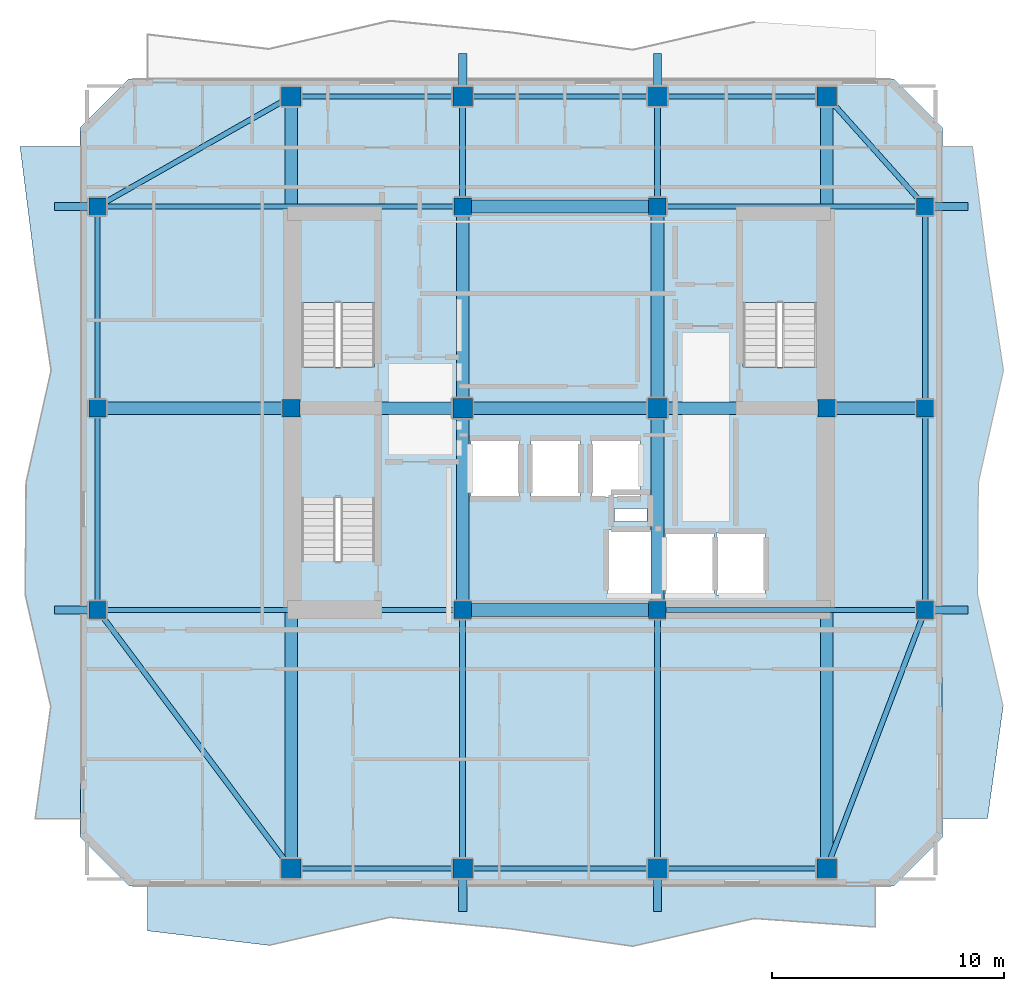
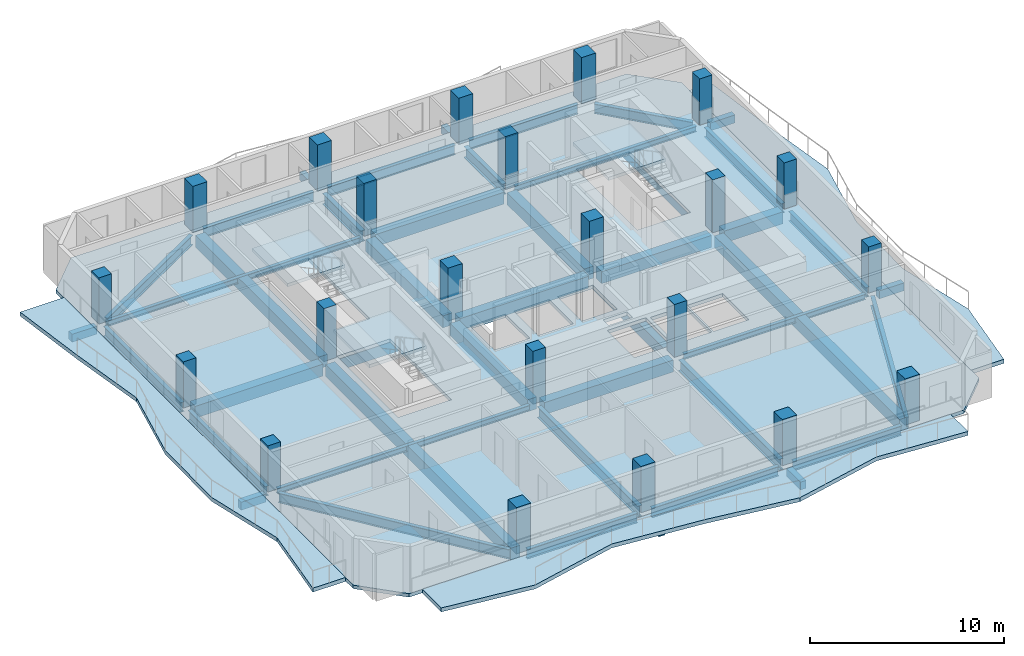
# One storey, part 1 of 10: 45 beams, 22 columns, 7 slabs, 3 elements without a shape of their own.
"""IFC4 building model written with IfcOpenShell, lengths in metres."""

from ifc_helpers import new_model, si_unit, direction, frame, origin, origin_2d, place, context, subcontext, project, spatial, polyline, rectangle, i_section, outline, extrude, material, layer, layer_set, material_profile, profile_set, type_object, element, aggregate, save


model = new_model("IFC4")

# Units and contexts
model_context = context("Model", 3, precision=1e-05, world=origin(), true_north=direction((0.0, 1.0)))
body_context = subcontext(model_context, "Body", "Model", "MODEL_VIEW")
ifc_project = project(units=[si_unit("LENGTHUNIT", "METRE"), si_unit("AREAUNIT", "SQUARE_METRE"), si_unit("VOLUMEUNIT", "CUBIC_METRE"), si_unit("PLANEANGLEUNIT", "RADIAN"), si_unit("MASSUNIT", "GRAM", prefix="KILO")], contexts=[model_context])

# Site, building, storey
site_placement = place(None, origin())
site = spatial("IfcSite", under=ifc_project, at=site_placement, CompositionType="ELEMENT")
building_placement = place(site_placement, origin())
building = spatial("IfcBuilding", under=site, at=building_placement, Name="Solanera Arch Residences", CompositionType="ELEMENT")
storey_placement = place(building_placement, frame((0.0, 0.0, 206.760009765625)))
storey = spatial("IfcBuildingStorey", under=building, at=storey_placement, Name="L60", CompositionType="ELEMENT", Elevation=206.760009765625)

# Columns
ifc_material_1 = material(Name="Concrete C40/50 (f'c = 45 MPa)", Category="concrete")
ifc_material_profile_1 = material_profile(ifc_material_1, rectangle(XDim=0.75, YDim=0.75, at=origin_2d()))
ifc_profile_set_1 = profile_set([ifc_material_profile_1], Name="Concrete C40/50 (f'c = 45 MPa)")
column_type_1 = type_object("IfcColumnType", Name="Structural Column RC-COL-750X750", PredefinedType="COLUMN", material=ifc_profile_set_1)
for number, where, z_axis, x_axis, name in (
    (1, (20.800048828125, 22.0, 0.0), (0.0, 0.0, 1.0), (1.0, 0.0, 0.0), "COL-L60-CB-SW"),
    (2, (29.199951171875, 22.0, 0.0), (0.0, 0.0, 1.0), (1.0, 0.0, 0.0), "COL-L60-CB-SE"),
    (3, (20.800048828125, 39.39990234375, 0.0), (0.0, 0.0, 1.0), (1.0, 0.0, 0.0), "COL-L60-CB-NW"),
    (4, (29.199951171875, 39.39990234375, 0.0), (0.0, 0.0, 1.0), (1.0, 0.0, 0.0), "COL-L60-CB-NE"),
    (5, (13.39990234375, 30.699951171875, 0.0), (0.0, 0.0, 1.0), (1.0, 0.0, 0.0), "COL-L60-CB-WW"),
    (6, (36.5, 30.699951171875, 0.0), (0.0, 0.0, 1.0), (1.0, 0.0, 0.0), "COL-L60-CB-EE"),
):
    element("IfcColumn", number, at=place(storey_placement, frame(where, z_axis=z_axis, x_axis=x_axis)), inside=storey, type_object=column_type_1, Name=name, PredefinedType="COLUMN", context=body_context, shape_type="SweptSolid", body=[
        extrude(rectangle(XDim=0.75, YDim=0.75, at=origin_2d()), origin(), (0.0, 0.0, 1.0), 3.320068359375),
    ])
for number, where, z_axis, x_axis, name in (
    (7, (5.050048828125, 22.0, 0.0), (0.0, 0.0, 1.0), (1.0, 0.0, 0.0), "COL-L60-TWR-09"),
    (8, (40.75, 22.0, 0.0), (0.0, 0.0, 1.0), (1.0, 0.0, 0.0), "COL-L60-TWR-10"),
    (9, (5.050048828125, 30.699951171875, 0.0), (0.0, 0.0, 1.0), (1.0, 0.0, 0.0), "COL-L60-TWR-11"),
    (10, (40.75, 30.699951171875, 0.0), (0.0, 0.0, 1.0), (1.0, 0.0, 0.0), "COL-L60-TWR-12"),
    (11, (5.050048828125, 39.39990234375, 0.0), (0.0, 0.0, 1.0), (1.0, 0.0, 0.0), "COL-L60-TWR-13"),
    (12, (40.75, 39.39990234375, 0.0), (0.0, 0.0, 1.0), (1.0, 0.0, 0.0), "COL-L60-TWR-14"),
):
    element("IfcColumn", number, at=place(storey_placement, frame(where, z_axis=z_axis, x_axis=x_axis)), inside=storey, type_object=column_type_1, Name=name, PredefinedType="COLUMN", context=body_context, shape_type="SweptSolid", body=[
        extrude(rectangle(XDim=0.75, YDim=0.75, at=origin_2d()), origin(), (0.0, 0.0, 1.0), 2.89990234375),
    ])
ifc_material_2 = material(Name="Concrete C40/50 (f'c = 45 MPa)", Category="concrete")
ifc_material_profile_2 = material_profile(ifc_material_2, rectangle(XDim=0.85009765625, YDim=0.85009765625, at=origin_2d()))
ifc_profile_set_2 = profile_set([ifc_material_profile_2], Name="Concrete C40/50 (f'c = 45 MPa)")
column_type_2 = type_object("IfcColumnType", Name="Structural Column RC-COL-850X850", PredefinedType="COLUMN", material=ifc_profile_set_2)
for number, where, z_axis, x_axis, name in (
    (13, (20.800048828125, 30.699951171875, 0.0), (0.0, 0.0, 1.0), (1.0, 0.0, 0.0), "COL-L60-CORE-W"),
    (14, (29.199951171875, 30.699951171875, 0.0), (0.0, 0.0, 1.0), (1.0, 0.0, 0.0), "COL-L60-CORE-E"),
):
    element("IfcColumn", number, at=place(storey_placement, frame(where, z_axis=z_axis, x_axis=x_axis)), inside=storey, type_object=column_type_2, Name=name, PredefinedType="COLUMN", context=body_context, shape_type="SweptSolid", body=[
        extrude(rectangle(XDim=0.85009765625, YDim=0.85009765625, at=origin_2d()), origin(), (0.0, 0.0, 1.0), 3.320068359375),
    ])
for number, where, z_axis, x_axis, name in (
    (15, (13.39990234375, 10.85009765625, 0.0), (0.0, 0.0, 1.0), (1.0, 0.0, 0.0), "COL-L60-TWR-01"),
    (16, (13.39990234375, 44.14990234375, 0.0), (0.0, 0.0, 1.0), (1.0, 0.0, 0.0), "COL-L60-TWR-02"),
    (17, (20.800048828125, 10.85009765625, 0.0), (0.0, 0.0, 1.0), (1.0, 0.0, 0.0), "COL-L60-TWR-03"),
    (18, (20.800048828125, 44.14990234375, 0.0), (0.0, 0.0, 1.0), (1.0, 0.0, 0.0), "COL-L60-TWR-04"),
    (19, (29.199951171875, 10.85009765625, 0.0), (0.0, 0.0, 1.0), (1.0, 0.0, 0.0), "COL-L60-TWR-05"),
    (20, (29.199951171875, 44.14990234375, 0.0), (0.0, 0.0, 1.0), (1.0, 0.0, 0.0), "COL-L60-TWR-06"),
    (21, (36.5, 10.85009765625, 0.0), (0.0, 0.0, 1.0), (1.0, 0.0, 0.0), "COL-L60-TWR-07"),
    (22, (36.5, 44.14990234375, 0.0), (0.0, 0.0, 1.0), (1.0, 0.0, 0.0), "COL-L60-TWR-08"),
):
    element("IfcColumn", number, at=place(storey_placement, frame(where, z_axis=z_axis, x_axis=x_axis)), inside=storey, type_object=column_type_2, Name=name, PredefinedType="COLUMN", context=body_context, shape_type="SweptSolid", body=[
        extrude(rectangle(XDim=0.85009765625, YDim=0.85009765625, at=origin_2d()), origin(), (0.0, 0.0, 1.0), 2.89990234375),
    ])

# Beams
ifc_material_3 = material(Name="Concrete C40/50 (f'c = 45 MPa)", Category="concrete")
ifc_material_profile_3 = material_profile(ifc_material_3, rectangle(XDim=0.35009765625, YDim=0.5, at=origin_2d()))
ifc_profile_set_3 = profile_set([ifc_material_profile_3], Name="Concrete C40/50 (f'c = 45 MPa)")
beam_type_1 = type_object("IfcBeamType", Name="BM-BALC-RIB", PredefinedType="BEAM", material=ifc_profile_set_3)
for number, where, z_axis, x_axis, name in (
    (23, (20.800048828125, 9.0, -0.5), (0.0, 1.0, 0.0), (-1.0, 0.0, 0.0), "BM-L60-BRIB-S1"),
    (24, (29.199951171875, 9.0, -0.5), (0.0, 1.0, 0.0), (-1.0, 0.0, 0.0), "BM-L60-BRIB-S2"),
    (25, (20.800048828125, 44.574951171875, -0.5), (0.0, 1.0, 0.0), (-1.0, 0.0, 0.0), "BM-L60-BRIB-N1"),
    (26, (29.199951171875, 44.574951171875, -0.5), (0.0, 1.0, 0.0), (-1.0, 0.0, 0.0), "BM-L60-BRIB-N2"),
):
    element("IfcBeam", number, at=place(storey_placement, frame(where, z_axis=z_axis, x_axis=x_axis)), inside=storey, type_object=beam_type_1, Name=name, PredefinedType="BEAM", context=body_context, shape_type="SweptSolid", body=[
        extrude(rectangle(XDim=0.35009765625, YDim=0.5, at=origin_2d()), origin(), (0.0, 0.0, 1.0), 1.425048828125),
    ])
for number, where, z_axis, x_axis, name in (
    (27, (41.125, 22.0, -0.5), (1.0, 0.0, 0.0), (0.0, 1.0, 0.0), "BM-L60-BRIB-E1"),
    (28, (41.125, 39.39990234375, -0.5), (1.0, 0.0, 0.0), (0.0, 1.0, 0.0), "BM-L60-BRIB-E2"),
    (29, (3.199951171875, 22.0, -0.5), (1.0, 0.0, 0.0), (0.0, 1.0, 0.0), "BM-L60-BRIB-W1"),
    (30, (3.199951171875, 39.39990234375, -0.5), (1.0, 0.0, 0.0), (0.0, 1.0, 0.0), "BM-L60-BRIB-W2"),
):
    element("IfcBeam", number, at=place(storey_placement, frame(where, z_axis=z_axis, x_axis=x_axis)), inside=storey, type_object=beam_type_1, Name=name, PredefinedType="BEAM", context=body_context, shape_type="SweptSolid", body=[
        extrude(rectangle(XDim=0.35009765625, YDim=0.5, at=origin_2d()), origin(), (0.0, 0.0, 1.0), 1.47509765625),
    ])
ifc_material_4 = material(Name="Concrete C40/50 (f'c = 45 MPa)", Category="concrete")
ifc_material_profile_4 = material_profile(ifc_material_4, rectangle(XDim=0.550048828125, YDim=0.75, at=origin_2d()))
ifc_profile_set_4 = profile_set([ifc_material_profile_4], Name="Concrete C40/50 (f'c = 45 MPa)")
beam_type_2 = type_object("IfcBeamType", Name="Primary Beam RC-BM-550X750", PredefinedType="BEAM", material=ifc_profile_set_4)
beam_1_placement = place(storey_placement, frame((20.800048828125, 22.37890625, -0.594970703125), z_axis=(0.0, 1.0, 0.0), x_axis=(-1.0, 0.0, 0.0)))
element("IfcBeam", 31, at=beam_1_placement, inside=storey, type_object=beam_type_2, Name="BM-L60-CC-S-208", PredefinedType="BEAM", context=body_context, shape_type="SweptSolid", body=[
    extrude(rectangle(XDim=0.550048828125, YDim=0.75, at=origin_2d()), origin(), (0.0, 0.0, 1.0), 7.942138671875),
])
beam_2_placement = place(storey_placement, frame((20.800048828125, 31.0791015625, -0.594970703125), z_axis=(0.0, 1.0, 0.0), x_axis=(-1.0, 0.0, 0.0)))
element("IfcBeam", 32, at=beam_2_placement, inside=storey, type_object=beam_type_2, Name="BM-L60-CC-N-208", PredefinedType="BEAM", context=body_context, shape_type="SweptSolid", body=[
    extrude(rectangle(XDim=0.550048828125, YDim=0.75, at=origin_2d()), origin(), (0.0, 0.0, 1.0), 7.94189453125),
])
beam_3_placement = place(storey_placement, frame((29.199951171875, 22.37890625, -0.594970703125), z_axis=(0.0, 1.0, 0.0), x_axis=(-1.0, 0.0, 0.0)))
element("IfcBeam", 33, at=beam_3_placement, inside=storey, type_object=beam_type_2, Name="BM-L60-CC-S-292", PredefinedType="BEAM", context=body_context, shape_type="SweptSolid", body=[
    extrude(rectangle(XDim=0.550048828125, YDim=0.75, at=origin_2d()), origin(), (0.0, 0.0, 1.0), 7.942138671875),
])
beam_4_placement = place(storey_placement, frame((29.199951171875, 31.0791015625, -0.594970703125), z_axis=(0.0, 1.0, 0.0), x_axis=(-1.0, 0.0, 0.0)))
element("IfcBeam", 34, at=beam_4_placement, inside=storey, type_object=beam_type_2, Name="BM-L60-CC-N-292", PredefinedType="BEAM", context=body_context, shape_type="SweptSolid", body=[
    extrude(rectangle(XDim=0.550048828125, YDim=0.75, at=origin_2d()), origin(), (0.0, 0.0, 1.0), 7.94189453125),
])
for number, where, z_axis, x_axis, name in (
    (35, (21.178955078125, 22.0, -0.594970703125), (1.0, 0.0, 0.0), (0.0, 1.0, 0.0), "BM-L60-CC-M-220"),
    (36, (21.178955078125, 30.699951171875, -0.594970703125), (1.0, 0.0, 0.0), (0.0, 1.0, 0.0), "BM-L60-CC-M-307"),
    (37, (21.178955078125, 39.39990234375, -0.594970703125), (1.0, 0.0, 0.0), (0.0, 1.0, 0.0), "BM-L60-CC-M-394"),
):
    element("IfcBeam", number, at=place(storey_placement, frame(where, z_axis=z_axis, x_axis=x_axis)), inside=storey, type_object=beam_type_2, Name=name, PredefinedType="BEAM", context=body_context, shape_type="SweptSolid", body=[
        extrude(rectangle(XDim=0.550048828125, YDim=0.75, at=origin_2d()), origin(), (0.0, 0.0, 1.0), 7.64208984375),
    ])
beam_5_placement = place(storey_placement, frame((13.779052734375, 30.699951171875, -0.594970703125), z_axis=(1.0, 0.0, 0.0), x_axis=(0.0, 1.0, 0.0)))
element("IfcBeam", 38, at=beam_5_placement, inside=storey, type_object=beam_type_2, Name="BM-L60-CC-W", PredefinedType="BEAM", context=body_context, shape_type="SweptSolid", body=[
    extrude(rectangle(XDim=0.550048828125, YDim=0.75, at=origin_2d()), origin(), (0.0, 0.0, 1.0), 6.641845703125),
])
beam_6_placement = place(storey_placement, frame((29.5791015625, 30.699951171875, -0.594970703125), z_axis=(1.0, 0.0, 0.0), x_axis=(0.0, 1.0, 0.0)))
element("IfcBeam", 39, at=beam_6_placement, inside=storey, type_object=beam_type_2, Name="BM-L60-CC-E", PredefinedType="BEAM", context=body_context, shape_type="SweptSolid", body=[
    extrude(rectangle(XDim=0.550048828125, YDim=0.75, at=origin_2d()), origin(), (0.0, 0.0, 1.0), 6.5419921875),
])
beam_7_placement = place(storey_placement, frame((13.39990234375, 11.279052734375, -0.594970703125), z_axis=(0.0, 1.0, 0.0), x_axis=(-1.0, 0.0, 0.0)))
element("IfcBeam", 40, at=beam_7_placement, inside=storey, type_object=beam_type_2, Name="BM-L60-RAD-OS-134", PredefinedType="BEAM", context=body_context, shape_type="SweptSolid", body=[
    extrude(rectangle(XDim=0.550048828125, YDim=0.75, at=origin_2d()), origin(), (0.0, 0.0, 1.0), 19.0419921875),
])
beam_8_placement = place(storey_placement, frame((13.39990234375, 31.0791015625, -0.594970703125), z_axis=(0.0, 1.0, 0.0), x_axis=(-1.0, 0.0, 0.0)))
element("IfcBeam", 41, at=beam_8_placement, inside=storey, type_object=beam_type_2, Name="BM-L60-RAD-ON-134", PredefinedType="BEAM", context=body_context, shape_type="SweptSolid", body=[
    extrude(rectangle(XDim=0.550048828125, YDim=0.75, at=origin_2d()), origin(), (0.0, 0.0, 1.0), 12.641845703125),
])
beam_9_placement = place(storey_placement, frame((36.5, 11.279052734375, -0.594970703125), z_axis=(0.0, 1.0, 0.0), x_axis=(-1.0, 0.0, 0.0)))
element("IfcBeam", 42, at=beam_9_placement, inside=storey, type_object=beam_type_2, Name="BM-L60-RAD-OS-365", PredefinedType="BEAM", context=body_context, shape_type="SweptSolid", body=[
    extrude(rectangle(XDim=0.550048828125, YDim=0.75, at=origin_2d()), origin(), (0.0, 0.0, 1.0), 19.0419921875),
])
beam_10_placement = place(storey_placement, frame((36.5, 31.0791015625, -0.594970703125), z_axis=(0.0, 1.0, 0.0), x_axis=(-1.0, 0.0, 0.0)))
element("IfcBeam", 43, at=beam_10_placement, inside=storey, type_object=beam_type_2, Name="BM-L60-RAD-ON-365", PredefinedType="BEAM", context=body_context, shape_type="SweptSolid", body=[
    extrude(rectangle(XDim=0.550048828125, YDim=0.75, at=origin_2d()), origin(), (0.0, 0.0, 1.0), 12.641845703125),
])
beam_11_placement = place(storey_placement, frame((5.428955078125, 30.699951171875, -0.594970703125), z_axis=(1.0, 0.0, 0.0), x_axis=(0.0, 1.0, 0.0)))
element("IfcBeam", 44, at=beam_11_placement, inside=storey, type_object=beam_type_2, Name="BM-L60-RAD-MW", PredefinedType="BEAM", context=body_context, shape_type="SweptSolid", body=[
    extrude(rectangle(XDim=0.550048828125, YDim=0.75, at=origin_2d()), origin(), (0.0, 0.0, 1.0), 7.592041015625),
])
beam_12_placement = place(storey_placement, frame((36.87890625, 30.699951171875, -0.594970703125), z_axis=(1.0, 0.0, 0.0), x_axis=(0.0, 1.0, 0.0)))
element("IfcBeam", 45, at=beam_12_placement, inside=storey, type_object=beam_type_2, Name="BM-L60-RAD-ME", PredefinedType="BEAM", context=body_context, shape_type="SweptSolid", body=[
    extrude(rectangle(XDim=0.550048828125, YDim=0.75, at=origin_2d()), origin(), (0.0, 0.0, 1.0), 3.4921875),
])
ifc_material_5 = material(Name="Steel S355 (ASTM A992 / A572 Grade 50)", Category="steel")
ifc_material_profile_5 = material_profile(ifc_material_5, i_section(OverallWidth=0.256103515625, OverallDepth=0.693115234375, WebThickness=0.014404296875, FlangeThickness=0.023681640625, at=origin_2d()))
ifc_profile_set_5 = profile_set([ifc_material_profile_5], Name="Steel S355 (ASTM A992 / A572 Grade 50)")
beam_type_3 = type_object("IfcBeamType", Name="Primary Beam W690X170", PredefinedType="BEAM", material=ifc_profile_set_5)
beam_13_placement = place(storey_placement, frame((20.800048828125, 11.279052734375, -0.56591796875), z_axis=(0.0, 1.0, 0.0), x_axis=(-1.0, 0.0, 0.0)))
element("IfcBeam", 46, at=beam_13_placement, inside=storey, type_object=beam_type_3, Name="BM-L60-RAD-S-208", PredefinedType="BEAM", context=body_context, shape_type="SweptSolid", body=[
    extrude(i_section(OverallWidth=0.256103515625, OverallDepth=0.693115234375, WebThickness=0.014404296875, FlangeThickness=0.023681640625, at=origin_2d()), origin(), (0.0, 0.0, 1.0), 10.342041015625),
])
beam_14_placement = place(storey_placement, frame((20.800048828125, 39.779052734375, -0.56591796875), z_axis=(0.0, 1.0, 0.0), x_axis=(-1.0, 0.0, 0.0)))
element("IfcBeam", 47, at=beam_14_placement, inside=storey, type_object=beam_type_3, Name="BM-L60-RAD-N-208", PredefinedType="BEAM", context=body_context, shape_type="SweptSolid", body=[
    extrude(i_section(OverallWidth=0.256103515625, OverallDepth=0.693115234375, WebThickness=0.014404296875, FlangeThickness=0.023681640625, at=origin_2d()), origin(), (0.0, 0.0, 1.0), 3.94189453125),
])
beam_15_placement = place(storey_placement, frame((29.199951171875, 11.279052734375, -0.56591796875), z_axis=(0.0, 1.0, 0.0), x_axis=(-1.0, 0.0, 0.0)))
element("IfcBeam", 48, at=beam_15_placement, inside=storey, type_object=beam_type_3, Name="BM-L60-RAD-S-292", PredefinedType="BEAM", context=body_context, shape_type="SweptSolid", body=[
    extrude(i_section(OverallWidth=0.256103515625, OverallDepth=0.693115234375, WebThickness=0.014404296875, FlangeThickness=0.023681640625, at=origin_2d()), origin(), (0.0, 0.0, 1.0), 10.342041015625),
])
beam_16_placement = place(storey_placement, frame((29.199951171875, 39.779052734375, -0.56591796875), z_axis=(0.0, 1.0, 0.0), x_axis=(-1.0, 0.0, 0.0)))
element("IfcBeam", 49, at=beam_16_placement, inside=storey, type_object=beam_type_3, Name="BM-L60-RAD-N-292", PredefinedType="BEAM", context=body_context, shape_type="SweptSolid", body=[
    extrude(i_section(OverallWidth=0.256103515625, OverallDepth=0.693115234375, WebThickness=0.014404296875, FlangeThickness=0.023681640625, at=origin_2d()), origin(), (0.0, 0.0, 1.0), 3.94189453125),
])
ifc_material_6 = material(Name="Steel S355 (ASTM A992 / A572 Grade 50)", Category="steel")
ifc_material_profile_6 = material_profile(ifc_material_6, i_section(OverallWidth=0.205078125, OverallDepth=0.35400390625, WebThickness=0.009521484375, FlangeThickness=0.016845703125, at=origin_2d()))
ifc_profile_set_6 = profile_set([ifc_material_profile_6], Name="Steel S355 (ASTM A992 / A572 Grade 50)")
beam_type_4 = type_object("IfcBeamType", Name="Secondary Joist W360X79", PredefinedType="JOIST", material=ifc_profile_set_6)
beam_17_placement = place(storey_placement, frame((5.428955078125, 22.0, -0.39697265625), z_axis=(1.0, 0.0, 0.0), x_axis=(0.0, 1.0, 0.0)))
element("IfcBeam", 50, at=beam_17_placement, inside=storey, type_object=beam_type_4, Name="BM-L60-RAD-W-220", PredefinedType="JOIST", context=body_context, shape_type="SweptSolid", body=[
    extrude(i_section(OverallWidth=0.205078125, OverallDepth=0.35400390625, WebThickness=0.009521484375, FlangeThickness=0.016845703125, at=origin_2d()), origin(), (0.0, 0.0, 1.0), 14.991943359375),
])
beam_18_placement = place(storey_placement, frame((29.5791015625, 22.0, -0.39697265625), z_axis=(1.0, 0.0, 0.0), x_axis=(0.0, 1.0, 0.0)))
element("IfcBeam", 51, at=beam_18_placement, inside=storey, type_object=beam_type_4, Name="BM-L60-RAD-E-220", PredefinedType="JOIST", context=body_context, shape_type="SweptSolid", body=[
    extrude(i_section(OverallWidth=0.205078125, OverallDepth=0.35400390625, WebThickness=0.009521484375, FlangeThickness=0.016845703125, at=origin_2d()), origin(), (0.0, 0.0, 1.0), 10.7919921875),
])
beam_19_placement = place(storey_placement, frame((5.428955078125, 39.39990234375, -0.39697265625), z_axis=(1.0, 0.0, 0.0), x_axis=(0.0, 1.0, 0.0)))
element("IfcBeam", 52, at=beam_19_placement, inside=storey, type_object=beam_type_4, Name="BM-L60-RAD-W-394", PredefinedType="JOIST", context=body_context, shape_type="SweptSolid", body=[
    extrude(i_section(OverallWidth=0.205078125, OverallDepth=0.35400390625, WebThickness=0.009521484375, FlangeThickness=0.016845703125, at=origin_2d()), origin(), (0.0, 0.0, 1.0), 14.991943359375),
])
beam_20_placement = place(storey_placement, frame((29.5791015625, 39.39990234375, -0.39697265625), z_axis=(1.0, 0.0, 0.0), x_axis=(0.0, 1.0, 0.0)))
element("IfcBeam", 53, at=beam_20_placement, inside=storey, type_object=beam_type_4, Name="BM-L60-RAD-E-394", PredefinedType="JOIST", context=body_context, shape_type="SweptSolid", body=[
    extrude(i_section(OverallWidth=0.205078125, OverallDepth=0.35400390625, WebThickness=0.009521484375, FlangeThickness=0.016845703125, at=origin_2d()), origin(), (0.0, 0.0, 1.0), 10.7919921875),
])
ifc_material_7 = material(Name="Steel S355 (ASTM A992 / A572 Grade 50)", Category="steel")
ifc_material_profile_7 = material_profile(ifc_material_7, i_section(OverallWidth=0.22802734375, OverallDepth=0.60791015625, WebThickness=0.01123046875, FlangeThickness=0.017333984375, at=origin_2d()))
ifc_profile_set_7 = profile_set([ifc_material_profile_7], Name="Steel S355 (ASTM A992 / A572 Grade 50)")
beam_type_5 = type_object("IfcBeamType", Name="Spandrel Beam W610X113", PredefinedType="SPANDREL", material=ifc_profile_set_7)
for number, where, z_axis, x_axis, name in (
    (54, (13.8291015625, 10.85009765625, -0.52392578125), (1.0, 0.0, 0.0), (0.0, 1.0, 0.0), "BM-L60-SPN-S-1"),
    (55, (13.8291015625, 44.14990234375, -0.52392578125), (1.0, 0.0, 0.0), (0.0, 1.0, 0.0), "BM-L60-SPN-N-1"),
):
    element("IfcBeam", number, at=place(storey_placement, frame(where, z_axis=z_axis, x_axis=x_axis)), inside=storey, type_object=beam_type_5, Name=name, PredefinedType="SPANDREL", context=body_context, shape_type="SweptSolid", body=[
        extrude(i_section(OverallWidth=0.22802734375, OverallDepth=0.60791015625, WebThickness=0.01123046875, FlangeThickness=0.017333984375, at=origin_2d()), origin(), (0.0, 0.0, 1.0), 6.5419921875),
    ])
for number, where, z_axis, x_axis, name in (
    (56, (21.22900390625, 10.85009765625, -0.52392578125), (1.0, 0.0, 0.0), (0.0, 1.0, 0.0), "BM-L60-SPN-S-2"),
    (57, (21.22900390625, 44.14990234375, -0.52392578125), (1.0, 0.0, 0.0), (0.0, 1.0, 0.0), "BM-L60-SPN-N-2"),
):
    element("IfcBeam", number, at=place(storey_placement, frame(where, z_axis=z_axis, x_axis=x_axis)), inside=storey, type_object=beam_type_5, Name=name, PredefinedType="SPANDREL", context=body_context, shape_type="SweptSolid", body=[
        extrude(i_section(OverallWidth=0.22802734375, OverallDepth=0.60791015625, WebThickness=0.01123046875, FlangeThickness=0.017333984375, at=origin_2d()), origin(), (0.0, 0.0, 1.0), 7.5419921875),
    ])
for number, where, z_axis, x_axis, name in (
    (58, (29.62890625, 10.85009765625, -0.52392578125), (1.0, 0.0, 0.0), (0.0, 1.0, 0.0), "BM-L60-SPN-S-3"),
    (59, (29.62890625, 44.14990234375, -0.52392578125), (1.0, 0.0, 0.0), (0.0, 1.0, 0.0), "BM-L60-SPN-N-3"),
):
    element("IfcBeam", number, at=place(storey_placement, frame(where, z_axis=z_axis, x_axis=x_axis)), inside=storey, type_object=beam_type_5, Name=name, PredefinedType="SPANDREL", context=body_context, shape_type="SweptSolid", body=[
        extrude(i_section(OverallWidth=0.22802734375, OverallDepth=0.60791015625, WebThickness=0.01123046875, FlangeThickness=0.017333984375, at=origin_2d()), origin(), (0.0, 0.0, 1.0), 6.442138671875),
    ])
for number, where, z_axis, x_axis, name in (
    (60, (5.050048828125, 22.37890625, -0.52392578125), (0.0, 1.0, 0.0), (-1.0, 0.0, 0.0), "BM-L60-SPN-W-1"),
    (61, (40.75, 22.37890625, -0.52392578125), (0.0, 1.0, 0.0), (-1.0, 0.0, 0.0), "BM-L60-SPN-E-1"),
):
    element("IfcBeam", number, at=place(storey_placement, frame(where, z_axis=z_axis, x_axis=x_axis)), inside=storey, type_object=beam_type_5, Name=name, PredefinedType="SPANDREL", context=body_context, shape_type="SweptSolid", body=[
        extrude(i_section(OverallWidth=0.22802734375, OverallDepth=0.60791015625, WebThickness=0.01123046875, FlangeThickness=0.017333984375, at=origin_2d()), origin(), (0.0, 0.0, 1.0), 7.942138671875),
    ])
for number, where, z_axis, x_axis, name in (
    (62, (5.050048828125, 31.0791015625, -0.52392578125), (0.0, 1.0, 0.0), (-1.0, 0.0, 0.0), "BM-L60-SPN-W-2"),
    (63, (40.75, 31.0791015625, -0.52392578125), (0.0, 1.0, 0.0), (-1.0, 0.0, 0.0), "BM-L60-SPN-E-2"),
):
    element("IfcBeam", number, at=place(storey_placement, frame(where, z_axis=z_axis, x_axis=x_axis)), inside=storey, type_object=beam_type_5, Name=name, PredefinedType="SPANDREL", context=body_context, shape_type="SweptSolid", body=[
        extrude(i_section(OverallWidth=0.22802734375, OverallDepth=0.60791015625, WebThickness=0.01123046875, FlangeThickness=0.017333984375, at=origin_2d()), origin(), (0.0, 0.0, 1.0), 7.94189453125),
    ])
beam_21_placement = place(storey_placement, frame((13.0791015625, 11.278076171875, -0.52392578125), z_axis=(-0.599410401798, 0.80044185936, 0.0), x_axis=(-0.80044185936, -0.599410401798, 0.0)))
element("IfcBeam", 64, at=beam_21_placement, inside=storey, type_object=beam_type_5, Name="BM-L60-SPN-SW", PredefinedType="SPANDREL", context=body_context, shape_type="SweptSolid", body=[
    extrude(i_section(OverallWidth=0.22802734375, OverallDepth=0.60791015625, WebThickness=0.01123046875, FlangeThickness=0.017333984375, at=origin_2d()), origin(), (0.0, 0.0, 1.0), 12.9228515625),
])
beam_22_placement = place(storey_placement, frame((12.971923828125, 43.906005859375, -0.52392578125), z_axis=(-0.869224697454, -0.494417258332, 0.0), x_axis=(0.494417258332, -0.869224697454, 0.0)))
element("IfcBeam", 65, at=beam_22_placement, inside=storey, type_object=beam_type_5, Name="BM-L60-SPN-NW", PredefinedType="SPANDREL", context=body_context, shape_type="SweptSolid", body=[
    extrude(i_section(OverallWidth=0.22802734375, OverallDepth=0.60791015625, WebThickness=0.01123046875, FlangeThickness=0.017333984375, at=origin_2d()), origin(), (0.0, 0.0, 1.0), 8.678955078125),
])
beam_23_placement = place(storey_placement, frame((36.6630859375, 11.279052734375, -0.52392578125), z_axis=(0.356235638105, 0.93439615268, 0.0), x_axis=(-0.93439615268, 0.356235638105, 0.0)))
element("IfcBeam", 66, at=beam_23_placement, inside=storey, type_object=beam_type_5, Name="BM-L60-SPN-SE", PredefinedType="SPANDREL", context=body_context, shape_type="SweptSolid", body=[
    extrude(i_section(OverallWidth=0.22802734375, OverallDepth=0.60791015625, WebThickness=0.01123046875, FlangeThickness=0.017333984375, at=origin_2d()), origin(), (0.0, 0.0, 1.0), 11.068115234375),
])
beam_24_placement = place(storey_placement, frame((36.860107421875, 43.748046875, -0.52392578125), z_axis=(0.66678682148, -0.745248505333, 0.0), x_axis=(0.745248505333, 0.66678682148, 0.0)))
element("IfcBeam", 67, at=beam_24_placement, inside=storey, type_object=beam_type_5, Name="BM-L60-SPN-NE", PredefinedType="SPANDREL", context=body_context, shape_type="SweptSolid", body=[
    extrude(i_section(OverallWidth=0.22802734375, OverallDepth=0.60791015625, WebThickness=0.01123046875, FlangeThickness=0.017333984375, at=origin_2d()), origin(), (0.0, 0.0, 1.0), 5.3271484375),
])

# Slabs
ifc_material_8 = material(Name="Concrete C40/50 (f'c = 45 MPa)", Category="concrete")
ifc_layer_1 = layer(ifc_material_8, 0.25)
ifc_layer_set_1 = layer_set([ifc_layer_1], Name="Concrete C40/50 (f'c = 45 MPa)")
slab_type_1 = type_object("IfcSlabType", Name="Balcony Slab 250", PredefinedType="FLOOR", material=ifc_layer_set_1)
slab_1_placement = place(storey_placement, frame((0.0, 0.0, -0.25)))
element("IfcSlab", 68, at=slab_1_placement, inside=storey, type_object=slab_type_1, Name="L60 S Rippling Brise-Soleil Balcony Slab", PredefinedType="FLOOR", context=body_context, shape_type="SweptSolid", body=[
    extrude(outline(polyline([(7.199951171875, 8.159912109375), (12.43310546875, 7.531982421875), (17.6669921875, 8.7451171875), (22.89990234375, 8.242919921875), (28.133056640625, 7.4970703125), (33.366943359375, 8.694091796875), (38.60009765625, 8.325927734375), (38.60009765625, 10.1201171875), (7.199951171875, 10.1201171875), (7.199951171875, 8.159912109375)])), origin(), (0.0, 0.0, 1.0), 0.25),
])
slab_2_placement = place(storey_placement, frame((0.0, 0.0, -0.25)))
element("IfcSlab", 69, at=slab_2_placement, inside=storey, type_object=slab_type_1, Name="L60 E Rippling Brise-Soleil Balcony Slab", PredefinedType="FLOOR", context=body_context, shape_type="SweptSolid", body=[
    extrude(outline(polyline([(43.43994140625, 13.0), (44.112060546875, 17.8330078125), (43.008056640625, 22.6669921875), (43.0458984375, 27.5), (44.1259765625, 32.3330078125), (43.39404296875, 37.1669921875), (42.783935546875, 42.0), (41.47998046875, 42.0), (41.47998046875, 13.0), (43.43994140625, 13.0)])), origin(), (0.0, 0.0, 1.0), 0.25),
])
slab_3_placement = place(storey_placement, frame((0.0, 0.0, -0.25)))
element("IfcSlab", 70, at=slab_3_placement, inside=storey, type_object=slab_type_1, Name="L60 W Rippling Brise-Soleil Balcony Slab", PredefinedType="FLOOR", context=body_context, shape_type="SweptSolid", body=[
    extrude(outline(polyline([(1.7041015625, 42.0), (2.31396484375, 37.1669921875), (3.0458984375, 32.3330078125), (1.966064453125, 27.5), (1.927978515625, 22.6669921875), (3.031982421875, 17.8330078125), (2.360107421875, 13.0), (4.320068359375, 13.0), (4.320068359375, 42.0), (1.7041015625, 42.0)])), origin(), (0.0, 0.0, 1.0), 0.25),
])

# Stair, slab
ifc_material_9 = material(Name="Concrete C40/50 (f'c = 45 MPa)", Category="concrete")
stair_type = type_object("IfcStairType", Name="Tower Dogleg Exit Stair 1480", PredefinedType="HALF_TURN_STAIR", material=ifc_material_9)
stair_1_placement = place(storey_placement, origin())
stair_1 = element("IfcStair", 71, at=stair_1_placement, inside=storey, type_object=stair_type, Name="L60 Tower Core Exit Stair 1", PredefinedType="HALF_TURN_STAIR")
ifc_material_10 = material(Name="Concrete C40/50 (f'c = 45 MPa)", Category="concrete")
ifc_layer_2 = layer(ifc_material_10, 0.199951171875)
ifc_layer_set_2 = layer_set([ifc_layer_2], Name="Concrete C40/50 (f'c = 45 MPa)")
slab_type_2 = type_object("IfcSlabType", Name="Stair Half-Landing Slab 200", PredefinedType="LANDING", material=ifc_layer_set_2)
slab_4_placement = place(storey_placement, frame((0.0, 0.0, 1.4599609375)))
slab_4 = element("IfcSlab", 72, at=slab_4_placement, type_object=slab_type_2, Name="ST-T1 landing 1", PredefinedType="LANDING", context=body_context, shape_type="SweptSolid", body=[
    extrude(outline(polyline([(17.1201171875, 35.260009765625), (17.1201171875, 38.919921875), (13.719970703125, 38.919921875), (13.719970703125, 35.260009765625), (17.1201171875, 35.260009765625)])), origin(), (0.0, 0.0, 1.0), 0.199951171875),
])
aggregate(stair_1, [slab_4])

stair_2_placement = place(storey_placement, origin())
stair_2 = element("IfcStair", 73, at=stair_2_placement, inside=storey, type_object=stair_type, Name="L60 Tower Core Exit Stair 2", PredefinedType="HALF_TURN_STAIR")
slab_5_placement = place(storey_placement, frame((0.0, 0.0, 1.4599609375)))
slab_5 = element("IfcSlab", 74, at=slab_5_placement, type_object=slab_type_2, Name="ST-T2 landing 1", PredefinedType="LANDING", context=body_context, shape_type="SweptSolid", body=[
    extrude(outline(polyline([(36.179931640625, 35.260009765625), (36.179931640625, 38.919921875), (32.780029296875, 38.919921875), (32.780029296875, 35.260009765625), (36.179931640625, 35.260009765625)])), origin(), (0.0, 0.0, 1.0), 0.199951171875),
])
aggregate(stair_2, [slab_5])

stair_3_placement = place(storey_placement, origin())
stair_3 = element("IfcStair", 75, at=stair_3_placement, inside=storey, type_object=stair_type, Name="L60 Tower Core Exit Stair 3", PredefinedType="HALF_TURN_STAIR")
slab_6_placement = place(storey_placement, frame((0.0, 0.0, 1.4599609375)))
slab_6 = element("IfcSlab", 76, at=slab_6_placement, type_object=slab_type_2, Name="ST-T3 landing 1", PredefinedType="LANDING", context=body_context, shape_type="SweptSolid", body=[
    extrude(outline(polyline([(17.1201171875, 26.860107421875), (17.1201171875, 30.52001953125), (13.719970703125, 30.52001953125), (13.719970703125, 26.860107421875), (17.1201171875, 26.860107421875)])), origin(), (0.0, 0.0, 1.0), 0.199951171875),
])
aggregate(stair_3, [slab_6])

# Slab
ifc_material_11 = material(Name="Concrete C40/50 (f'c = 45 MPa)", Category="concrete")
ifc_layer_3 = layer(ifc_material_11, 0.219970703125)
ifc_layer_set_3 = layer_set([ifc_layer_3], Name="Concrete C40/50 (f'c = 45 MPa)")
slab_type_3 = type_object("IfcSlabType", Name="Suspended Floor Slab Post-Tensioned 220", PredefinedType="FLOOR", material=ifc_layer_set_3)
slab_7_placement = place(storey_placement, frame((0.0, 0.0, -0.219970703125)))
element("IfcSlab", 77, at=slab_7_placement, inside=storey, type_object=slab_type_3, Name="L60 Tower Post-Tensioned Floor Slab", PredefinedType="FLOOR", context=body_context, shape_type="SweptSolid", body=[
    extrude(outline(polyline([(6.39990234375, 10.10009765625), (39.39990234375, 10.10009765625), (41.5, 12.199951171875), (41.5, 42.800048828125), (39.39990234375, 44.89990234375), (6.39990234375, 44.89990234375), (4.300048828125, 42.800048828125), (4.300048828125, 12.199951171875), (6.39990234375, 10.10009765625)]), holes=[polyline([(13.840087890625, 32.48291015625), (13.840087890625, 38.800048828125), (17.0, 38.800048828125), (17.0, 32.48291015625), (13.840087890625, 32.48291015625)]), polyline([(32.89990234375, 32.48291015625), (32.89990234375, 38.800048828125), (36.06005859375, 38.800048828125), (36.06005859375, 32.48291015625), (32.89990234375, 32.48291015625)]), polyline([(13.840087890625, 24.0830078125), (13.840087890625, 30.39990234375), (17.0, 30.39990234375), (17.0, 24.0830078125), (13.840087890625, 24.0830078125)]), polyline([(21.14990234375, 29.35009765625), (23.25, 29.35009765625), (23.25, 26.85009765625), (21.14990234375, 26.85009765625), (21.14990234375, 29.35009765625)]), polyline([(23.75, 29.35009765625), (25.85009765625, 29.35009765625), (25.85009765625, 26.85009765625), (23.75, 26.85009765625), (23.75, 29.35009765625)]), polyline([(26.35009765625, 29.35009765625), (28.449951171875, 29.35009765625), (28.449951171875, 26.85009765625), (26.35009765625, 26.85009765625), (26.35009765625, 29.35009765625)]), polyline([(29.550048828125, 25.35009765625), (31.64990234375, 25.35009765625), (31.64990234375, 22.64990234375), (29.550048828125, 22.64990234375), (29.550048828125, 25.35009765625)]), polyline([(31.75, 25.35009765625), (33.85009765625, 25.35009765625), (33.85009765625, 22.64990234375), (31.75, 22.64990234375), (31.75, 25.35009765625)]), polyline([(27.050048828125, 25.449951171875), (29.35009765625, 25.449951171875), (29.35009765625, 22.64990234375), (27.050048828125, 22.64990234375), (27.050048828125, 25.449951171875)]), polyline([(27.340087890625, 26.3798828125), (28.760009765625, 26.3798828125), (28.760009765625, 25.820068359375), (27.340087890625, 25.820068359375), (27.340087890625, 26.3798828125)])]), origin(), (0.0, 0.0, 1.0), 0.219970703125),
])

save(model, "model.ifc")
